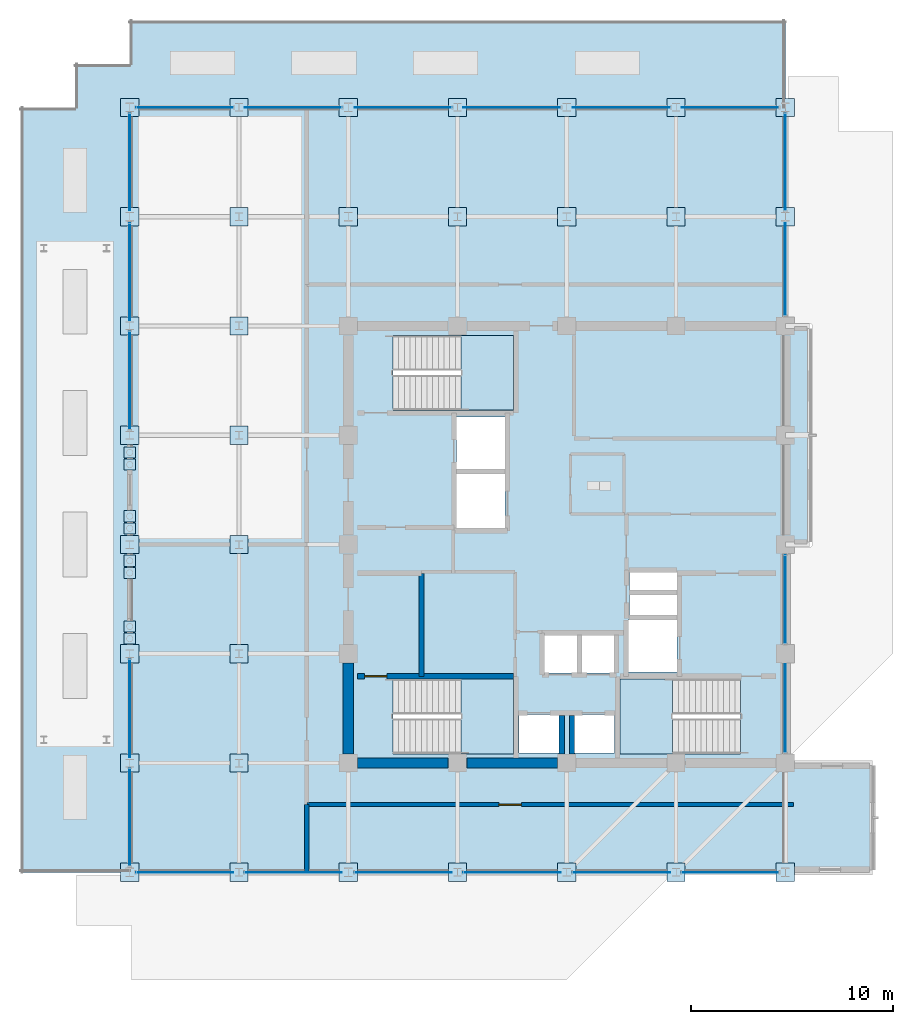
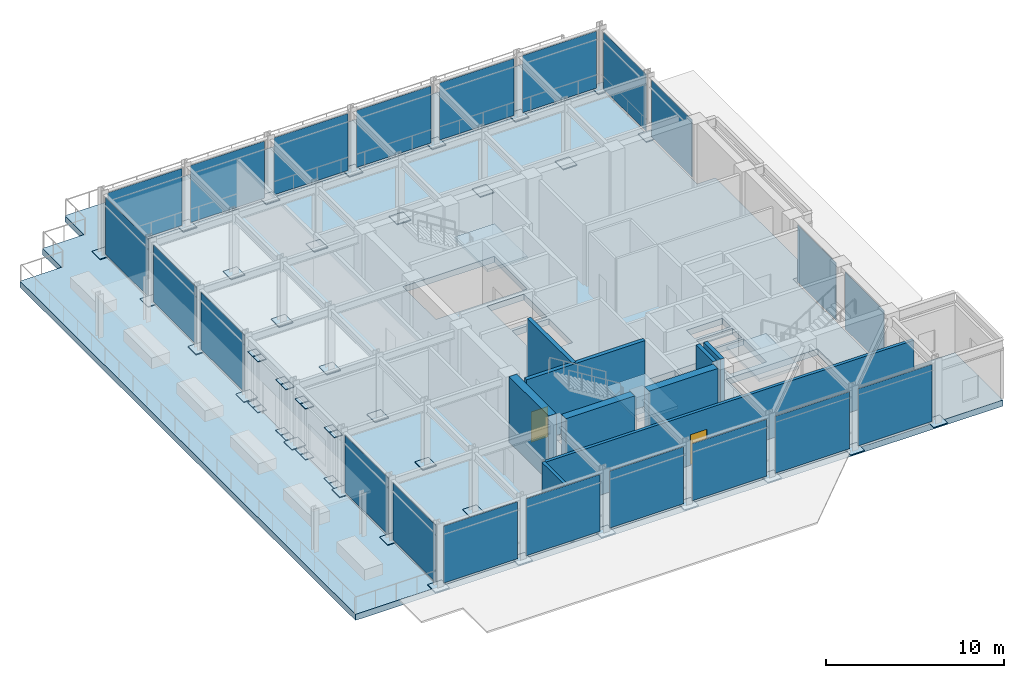
# One storey, part 13 of 22: 68 plates, 9 walls, 5 slabs, 2 doors, 2 openings, 9 elements without a shape of their own.
"""IFC4 building model written with IfcOpenShell, lengths in metres."""

from ifc_helpers import new_model, si_unit, direction, frame, frame_2d, origin, origin_2d, place, context, subcontext, project, spatial, polyline, rectangle, outline, extrude, material, layer, layer_set, type_object, element, fill, aggregate, save


model = new_model("IFC4")

# Units and contexts
model_context = context("Model", 3, precision=1e-05, world=origin(), true_north=direction((0.0, 1.0)))
body_context = subcontext(model_context, "Body", "Model", "MODEL_VIEW")
ifc_project = project(units=[si_unit("LENGTHUNIT", "METRE"), si_unit("AREAUNIT", "SQUARE_METRE"), si_unit("VOLUMEUNIT", "CUBIC_METRE"), si_unit("PLANEANGLEUNIT", "RADIAN"), si_unit("MASSUNIT", "GRAM", prefix="KILO")], contexts=[model_context])

# Site, building, storey
site_placement = place(None, origin())
site = spatial("IfcSite", under=ifc_project, at=site_placement, CompositionType="ELEMENT")
building_placement = place(site_placement, origin())
building = spatial("IfcBuilding", under=site, at=building_placement, Name="Surkhivell Harbour Commons", CompositionType="ELEMENT")
storey_placement = place(building_placement, frame((0.0, 0.0, 337.5)))
storey = spatial("IfcBuildingStorey", under=building, at=storey_placement, Name="L88", CompositionType="ELEMENT", Elevation=337.5)

# Curtain wall, plates
ifc_material_1 = material(Name="Anodised pale-metal aluminium and insulated glazing", Category="aluminium")
ifc_layer_1 = layer(ifc_material_1, 0.22998046875)
ifc_layer_set_1 = layer_set([ifc_layer_1], Name="Anodised pale-metal aluminium and insulated glazing")
curtain_wall_type = type_object("IfcCurtainWallType", Name="CW-SYS-CRN", PredefinedType="NOTDEFINED", material=ifc_layer_set_1)
curtain_wall_1_placement = place(storey_placement, origin())
curtain_wall_1 = element("IfcCurtainWall", 1, at=curtain_wall_1_placement, inside=storey, type_object=curtain_wall_type, Name="L88 Curtain Wall CW-L88-C00", PredefinedType="NOTDEFINED")
ifc_material_2 = material(Name="Botanical conservatory clear low-iron glass", Category="glass")
ifc_layer_2 = layer(ifc_material_2, 0.033935546875)
ifc_layer_set_2 = layer_set([ifc_layer_2], Name="Botanical conservatory clear low-iron glass")
plate_type_1 = type_object("IfcPlateType", Name="CWP-CRN-34", PredefinedType="CURTAIN_PANEL", material=ifc_layer_set_2)
plate_1_placement = place(storey_placement, frame((-21.282958984375, -16.199951171875, 0.14990234375), z_axis=(0.0, 0.0, 1.0), x_axis=(1.0, 0.0, 0.0)))
plate_1 = element("IfcPlate", 2, at=plate_1_placement, type_object=plate_type_1, Name="CW-CRN panel 1.1", PredefinedType="CURTAIN_PANEL", context=body_context, shape_type="SweptSolid", body=[
    extrude(rectangle(XDim=4.7958984375, YDim=0.033935546875, at=frame_2d((2.39794921875, 0.0))), origin(), (0.0, 0.0, 1.0), 3.920166015625),
])
plate_2_placement = place(storey_placement, frame((-15.9130859375, -16.199951171875, 0.14990234375), z_axis=(0.0, 0.0, 1.0), x_axis=(1.0, 0.0, 0.0)))
plate_2 = element("IfcPlate", 3, at=plate_2_placement, type_object=plate_type_1, Name="CW-CRN panel 2.1", PredefinedType="CURTAIN_PANEL", context=body_context, shape_type="SweptSolid", body=[
    extrude(rectangle(XDim=4.796142578125, YDim=0.033935546875, at=frame_2d((2.39794921875, 0.0))), origin(), (0.0, 0.0, 1.0), 3.920166015625),
])
plate_3_placement = place(storey_placement, frame((-10.48291015625, -16.199951171875, 0.14990234375), z_axis=(0.0, 0.0, 1.0), x_axis=(1.0, 0.0, 0.0)))
plate_3 = element("IfcPlate", 4, at=plate_3_placement, type_object=plate_type_1, Name="CW-CRN panel 3.1", PredefinedType="CURTAIN_PANEL", context=body_context, shape_type="SweptSolid", body=[
    extrude(rectangle(XDim=4.7958984375, YDim=0.033935546875, at=frame_2d((2.39794921875, 0.0))), origin(), (0.0, 0.0, 1.0), 3.920166015625),
])
plate_4_placement = place(storey_placement, frame((-5.113037109375, -16.199951171875, 0.14990234375), z_axis=(0.0, 0.0, 1.0), x_axis=(1.0, 0.0, 0.0)))
plate_4 = element("IfcPlate", 5, at=plate_4_placement, type_object=plate_type_1, Name="CW-CRN panel 4.1", PredefinedType="CURTAIN_PANEL", context=body_context, shape_type="SweptSolid", body=[
    extrude(rectangle(XDim=4.825927734375, YDim=0.033935546875, at=frame_2d((2.4130859375, 0.0))), origin(), (0.0, 0.0, 1.0), 3.920166015625),
])
plate_5_placement = place(storey_placement, frame((0.287109375, -16.199951171875, 0.14990234375), z_axis=(0.0, 0.0, 1.0), x_axis=(1.0, 0.0, 0.0)))
plate_5 = element("IfcPlate", 6, at=plate_5_placement, type_object=plate_type_1, Name="CW-CRN panel 5.1", PredefinedType="CURTAIN_PANEL", context=body_context, shape_type="SweptSolid", body=[
    extrude(rectangle(XDim=4.825927734375, YDim=0.033935546875, at=frame_2d((2.4130859375, 0.0))), origin(), (0.0, 0.0, 1.0), 3.920166015625),
])
plate_6_placement = place(storey_placement, frame((5.68701171875, -16.199951171875, 0.14990234375), z_axis=(0.0, 0.0, 1.0), x_axis=(1.0, 0.0, 0.0)))
plate_6 = element("IfcPlate", 7, at=plate_6_placement, type_object=plate_type_1, Name="CW-CRN panel 6.1", PredefinedType="CURTAIN_PANEL", context=body_context, shape_type="SweptSolid", body=[
    extrude(rectangle(XDim=4.7958984375, YDim=0.033935546875, at=frame_2d((2.39794921875, 0.0))), origin(), (0.0, 0.0, 1.0), 3.920166015625),
])
aggregate(curtain_wall_1, [plate_1, plate_2, plate_3, plate_4, plate_5, plate_6])

curtain_wall_2_placement = place(storey_placement, origin())
curtain_wall_2 = element("IfcCurtainWall", 8, at=curtain_wall_2_placement, inside=storey, type_object=curtain_wall_type, Name="L88 Curtain Wall CW-L88-C01S1", PredefinedType="NOTDEFINED")
plate_7_placement = place(storey_placement, frame((10.800048828125, -10.27294921875, 0.14990234375), z_axis=(0.0, 0.0, 1.0), x_axis=(0.0, 1.0, 0.0)))
plate_7 = element("IfcPlate", 9, at=plate_7_placement, type_object=plate_type_1, Name="CW-CRN panel 1.1", PredefinedType="CURTAIN_PANEL", context=body_context, shape_type="SweptSolid", body=[
    extrude(rectangle(XDim=4.345947265625, YDim=0.033935546875, at=frame_2d((2.1728515625, 0.0))), origin(), (0.0, 0.0, 1.0), 3.920166015625),
])
plate_8_placement = place(storey_placement, frame((10.800048828125, -4.873046875, 0.14990234375), z_axis=(0.0, 0.0, 1.0), x_axis=(0.0, 1.0, 0.0)))
plate_8 = element("IfcPlate", 10, at=plate_8_placement, type_object=plate_type_1, Name="CW-CRN panel 2.1", PredefinedType="CURTAIN_PANEL", context=body_context, shape_type="SweptSolid", body=[
    extrude(rectangle(XDim=4.345947265625, YDim=0.033935546875, at=frame_2d((2.1728515625, 0.0))), origin(), (0.0, 0.0, 1.0), 3.920166015625),
])
aggregate(curtain_wall_2, [plate_7, plate_8])

curtain_wall_3_placement = place(storey_placement, origin())
curtain_wall_3 = element("IfcCurtainWall", 11, at=curtain_wall_3_placement, inside=storey, type_object=curtain_wall_type, Name="L88 Curtain Wall CW-L88-C01S2", PredefinedType="NOTDEFINED")
plate_9_placement = place(storey_placement, frame((10.800048828125, 11.326904296875, 0.14990234375), z_axis=(0.0, 0.0, 1.0), x_axis=(0.0, 1.0, 0.0)))
plate_9 = element("IfcPlate", 12, at=plate_9_placement, type_object=plate_type_1, Name="CW-CRN panel 1.1", PredefinedType="CURTAIN_PANEL", context=body_context, shape_type="SweptSolid", body=[
    extrude(rectangle(XDim=4.55615234375, YDim=0.033935546875, at=frame_2d((2.278076171875, 0.0))), origin(), (0.0, 0.0, 1.0), 3.920166015625),
])
plate_10_placement = place(storey_placement, frame((10.800048828125, 16.51708984375, 0.14990234375), z_axis=(0.0, 0.0, 1.0), x_axis=(0.0, 1.0, 0.0)))
plate_10 = element("IfcPlate", 13, at=plate_10_placement, type_object=plate_type_1, Name="CW-CRN panel 2.1", PredefinedType="CURTAIN_PANEL", context=body_context, shape_type="SweptSolid", body=[
    extrude(rectangle(XDim=4.765869140625, YDim=0.033935546875, at=frame_2d((2.3828125, 0.0))), origin(), (0.0, 0.0, 1.0), 3.920166015625),
])
aggregate(curtain_wall_3, [plate_9, plate_10])

curtain_wall_4_placement = place(storey_placement, origin())
curtain_wall_4 = element("IfcCurtainWall", 14, at=curtain_wall_4_placement, inside=storey, type_object=curtain_wall_type, Name="L88 Curtain Wall CW-L88-C02", PredefinedType="NOTDEFINED")
plate_11_placement = place(storey_placement, frame((10.48291015625, 21.60009765625, 0.14990234375), z_axis=(0.0, 0.0, 1.0), x_axis=(-1.0, 0.0, 0.0)))
plate_11 = element("IfcPlate", 15, at=plate_11_placement, type_object=plate_type_1, Name="CW-CRN panel 1.1", PredefinedType="CURTAIN_PANEL", context=body_context, shape_type="SweptSolid", body=[
    extrude(rectangle(XDim=4.7958984375, YDim=0.033935546875, at=frame_2d((2.39794921875, 0.0))), origin(), (0.0, 0.0, 1.0), 3.920166015625),
])
plate_12_placement = place(storey_placement, frame((5.113037109375, 21.60009765625, 0.14990234375), z_axis=(0.0, 0.0, 1.0), x_axis=(-1.0, 0.0, 0.0)))
plate_12 = element("IfcPlate", 16, at=plate_12_placement, type_object=plate_type_1, Name="CW-CRN panel 2.1", PredefinedType="CURTAIN_PANEL", context=body_context, shape_type="SweptSolid", body=[
    extrude(rectangle(XDim=4.825927734375, YDim=0.033935546875, at=frame_2d((2.4130859375, 0.0))), origin(), (0.0, 0.0, 1.0), 3.920166015625),
])
plate_13_placement = place(storey_placement, frame((-0.287109375, 21.60009765625, 0.14990234375), z_axis=(0.0, 0.0, 1.0), x_axis=(-1.0, 0.0, 0.0)))
plate_13 = element("IfcPlate", 17, at=plate_13_placement, type_object=plate_type_1, Name="CW-CRN panel 3.1", PredefinedType="CURTAIN_PANEL", context=body_context, shape_type="SweptSolid", body=[
    extrude(rectangle(XDim=4.825927734375, YDim=0.033935546875, at=frame_2d((2.4130859375, 0.0))), origin(), (0.0, 0.0, 1.0), 3.920166015625),
])
plate_14_placement = place(storey_placement, frame((-5.68701171875, 21.60009765625, 0.14990234375), z_axis=(0.0, 0.0, 1.0), x_axis=(-1.0, 0.0, 0.0)))
plate_14 = element("IfcPlate", 18, at=plate_14_placement, type_object=plate_type_1, Name="CW-CRN panel 4.1", PredefinedType="CURTAIN_PANEL", context=body_context, shape_type="SweptSolid", body=[
    extrude(rectangle(XDim=4.7958984375, YDim=0.033935546875, at=frame_2d((2.39794921875, 0.0))), origin(), (0.0, 0.0, 1.0), 3.920166015625),
])
plate_15_placement = place(storey_placement, frame((-11.116943359375, 21.60009765625, 0.14990234375), z_axis=(0.0, 0.0, 1.0), x_axis=(-1.0, 0.0, 0.0)))
plate_15 = element("IfcPlate", 19, at=plate_15_placement, type_object=plate_type_1, Name="CW-CRN panel 5.1", PredefinedType="CURTAIN_PANEL", context=body_context, shape_type="SweptSolid", body=[
    extrude(rectangle(XDim=4.796142578125, YDim=0.033935546875, at=frame_2d((2.39794921875, 0.0))), origin(), (0.0, 0.0, 1.0), 3.920166015625),
])
plate_16_placement = place(storey_placement, frame((-16.487060546875, 21.60009765625, 0.14990234375), z_axis=(0.0, 0.0, 1.0), x_axis=(-1.0, 0.0, 0.0)))
plate_16 = element("IfcPlate", 20, at=plate_16_placement, type_object=plate_type_1, Name="CW-CRN panel 6.1", PredefinedType="CURTAIN_PANEL", context=body_context, shape_type="SweptSolid", body=[
    extrude(rectangle(XDim=4.7958984375, YDim=0.033935546875, at=frame_2d((2.39794921875, 0.0))), origin(), (0.0, 0.0, 1.0), 3.920166015625),
])
aggregate(curtain_wall_4, [plate_11, plate_12, plate_13, plate_14, plate_15, plate_16])

curtain_wall_5_placement = place(storey_placement, origin())
curtain_wall_5 = element("IfcCurtainWall", 21, at=curtain_wall_5_placement, inside=storey, type_object=curtain_wall_type, Name="L88 Curtain Wall CW-L88-C03S1", PredefinedType="NOTDEFINED")
plate_17_placement = place(storey_placement, frame((-21.60009765625, -5.68701171875, 0.14990234375), z_axis=(0.0, 0.0, 1.0), x_axis=(0.0, -1.0, 0.0)))
plate_17 = element("IfcPlate", 22, at=plate_17_placement, type_object=plate_type_1, Name="CW-CRN panel 1.1", PredefinedType="CURTAIN_PANEL", context=body_context, shape_type="SweptSolid", body=[
    extrude(rectangle(XDim=4.825927734375, YDim=0.033935546875, at=frame_2d((2.4130859375, 0.0))), origin(), (0.0, 0.0, 1.0), 3.920166015625),
])
plate_18_placement = place(storey_placement, frame((-21.60009765625, -11.0869140625, 0.14990234375), z_axis=(0.0, 0.0, 1.0), x_axis=(0.0, -1.0, 0.0)))
plate_18 = element("IfcPlate", 23, at=plate_18_placement, type_object=plate_type_1, Name="CW-CRN panel 2.1", PredefinedType="CURTAIN_PANEL", context=body_context, shape_type="SweptSolid", body=[
    extrude(rectangle(XDim=4.796142578125, YDim=0.033935546875, at=frame_2d((2.39794921875, 0.0))), origin(), (0.0, 0.0, 1.0), 3.920166015625),
])
aggregate(curtain_wall_5, [plate_17, plate_18])

curtain_wall_6_placement = place(storey_placement, origin())
curtain_wall_6 = element("IfcCurtainWall", 24, at=curtain_wall_6_placement, inside=storey, type_object=curtain_wall_type, Name="L88 Curtain Wall CW-L88-C03S2", PredefinedType="NOTDEFINED")
plate_19_placement = place(storey_placement, frame((-21.60009765625, 21.282958984375, 0.14990234375), z_axis=(0.0, 0.0, 1.0), x_axis=(0.0, -1.0, 0.0)))
plate_19 = element("IfcPlate", 25, at=plate_19_placement, type_object=plate_type_1, Name="CW-CRN panel 1.1", PredefinedType="CURTAIN_PANEL", context=body_context, shape_type="SweptSolid", body=[
    extrude(rectangle(XDim=4.765869140625, YDim=0.033935546875, at=frame_2d((2.3828125, 0.0))), origin(), (0.0, 0.0, 1.0), 3.920166015625),
])
plate_20_placement = place(storey_placement, frame((-21.60009765625, 15.883056640625, 0.14990234375), z_axis=(0.0, 0.0, 1.0), x_axis=(0.0, -1.0, 0.0)))
plate_20 = element("IfcPlate", 26, at=plate_20_placement, type_object=plate_type_1, Name="CW-CRN panel 2.1", PredefinedType="CURTAIN_PANEL", context=body_context, shape_type="SweptSolid", body=[
    extrude(rectangle(XDim=4.796142578125, YDim=0.033935546875, at=frame_2d((2.39794921875, 0.0))), origin(), (0.0, 0.0, 1.0), 3.920166015625),
])
plate_21_placement = place(storey_placement, frame((-21.60009765625, 10.512939453125, 0.14990234375), z_axis=(0.0, 0.0, 1.0), x_axis=(0.0, -1.0, 0.0)))
plate_21 = element("IfcPlate", 27, at=plate_21_placement, type_object=plate_type_1, Name="CW-CRN panel 3.1", PredefinedType="CURTAIN_PANEL", context=body_context, shape_type="SweptSolid", body=[
    extrude(rectangle(XDim=4.825927734375, YDim=0.033935546875, at=frame_2d((2.4130859375, 0.0))), origin(), (0.0, 0.0, 1.0), 3.920166015625),
])
aggregate(curtain_wall_6, [plate_19, plate_20, plate_21])

# Plates
ifc_material_3 = material(Name="Steel S460", Category="steel")
ifc_layer_3 = layer(ifc_material_3, 0.050048828125)
ifc_layer_set_3 = layer_set([ifc_layer_3], Name="Steel S460")
plate_type_2 = type_object("IfcPlateType", Name="PLT-BASE-900", PredefinedType="USERDEFINED", material=ifc_layer_set_3)
for number, where, z_axis, x_axis, name in (
    (28, (-21.60009765625, -16.199951171875, 0.0), (0.0, 0.0, 1.0), (1.0, 0.0, 0.0), "L88 Crown Frame Leg Base Plate BP-01"),
    (29, (-21.60009765625, -10.800048828125, 0.0), (0.0, 0.0, 1.0), (1.0, 0.0, 0.0), "L88 Crown Frame Leg Base Plate BP-02"),
    (30, (-21.60009765625, -5.39990234375, 0.0), (0.0, 0.0, 1.0), (1.0, 0.0, 0.0), "L88 Crown Frame Leg Base Plate BP-03"),
    (31, (-21.60009765625, 0.0, 0.0), (0.0, 0.0, 1.0), (1.0, 0.0, 0.0), "L88 Crown Frame Leg Base Plate BP-04"),
    (32, (-21.60009765625, 5.39990234375, 0.0), (0.0, 0.0, 1.0), (1.0, 0.0, 0.0), "L88 Crown Frame Leg Base Plate BP-05"),
    (33, (-21.60009765625, 10.800048828125, 0.0), (0.0, 0.0, 1.0), (1.0, 0.0, 0.0), "L88 Crown Frame Leg Base Plate BP-06"),
    (34, (-21.60009765625, 16.199951171875, 0.0), (0.0, 0.0, 1.0), (1.0, 0.0, 0.0), "L88 Crown Frame Leg Base Plate BP-07"),
    (35, (-21.60009765625, 21.60009765625, 0.0), (0.0, 0.0, 1.0), (1.0, 0.0, 0.0), "L88 Crown Frame Leg Base Plate BP-08"),
    (36, (-16.199951171875, -16.199951171875, 0.0), (0.0, 0.0, 1.0), (1.0, 0.0, 0.0), "L88 Crown Frame Leg Base Plate BP-09"),
    (37, (-16.199951171875, -10.800048828125, 0.0), (0.0, 0.0, 1.0), (1.0, 0.0, 0.0), "L88 Crown Frame Leg Base Plate BP-10"),
    (38, (-16.199951171875, -5.39990234375, 0.0), (0.0, 0.0, 1.0), (1.0, 0.0, 0.0), "L88 Crown Frame Leg Base Plate BP-11"),
    (39, (-16.199951171875, 0.0, 0.0), (0.0, 0.0, 1.0), (1.0, 0.0, 0.0), "L88 Crown Frame Leg Base Plate BP-12"),
    (40, (-16.199951171875, 5.39990234375, 0.0), (0.0, 0.0, 1.0), (1.0, 0.0, 0.0), "L88 Crown Frame Leg Base Plate BP-13"),
    (41, (-16.199951171875, 10.800048828125, 0.0), (0.0, 0.0, 1.0), (1.0, 0.0, 0.0), "L88 Crown Frame Leg Base Plate BP-14"),
    (42, (-16.199951171875, 16.199951171875, 0.0), (0.0, 0.0, 1.0), (1.0, 0.0, 0.0), "L88 Crown Frame Leg Base Plate BP-15"),
    (43, (-16.199951171875, 21.60009765625, 0.0), (0.0, 0.0, 1.0), (1.0, 0.0, 0.0), "L88 Crown Frame Leg Base Plate BP-16"),
    (44, (-10.800048828125, -16.199951171875, 0.0), (0.0, 0.0, 1.0), (1.0, 0.0, 0.0), "L88 Crown Frame Leg Base Plate BP-17"),
    (45, (-10.800048828125, 16.199951171875, 0.0), (0.0, 0.0, 1.0), (1.0, 0.0, 0.0), "L88 Crown Frame Leg Base Plate BP-18"),
    (46, (-10.800048828125, 21.60009765625, 0.0), (0.0, 0.0, 1.0), (1.0, 0.0, 0.0), "L88 Crown Frame Leg Base Plate BP-19"),
    (47, (-5.39990234375, -16.199951171875, 0.0), (0.0, 0.0, 1.0), (1.0, 0.0, 0.0), "L88 Crown Frame Leg Base Plate BP-20"),
    (48, (-5.39990234375, 16.199951171875, 0.0), (0.0, 0.0, 1.0), (1.0, 0.0, 0.0), "L88 Crown Frame Leg Base Plate BP-21"),
    (49, (-5.39990234375, 21.60009765625, 0.0), (0.0, 0.0, 1.0), (1.0, 0.0, 0.0), "L88 Crown Frame Leg Base Plate BP-22"),
    (50, (0.0, -16.199951171875, 0.0), (0.0, 0.0, 1.0), (1.0, 0.0, 0.0), "L88 Crown Frame Leg Base Plate BP-23"),
    (51, (0.0, 16.199951171875, 0.0), (0.0, 0.0, 1.0), (1.0, 0.0, 0.0), "L88 Crown Frame Leg Base Plate BP-24"),
    (52, (0.0, 21.60009765625, 0.0), (0.0, 0.0, 1.0), (1.0, 0.0, 0.0), "L88 Crown Frame Leg Base Plate BP-25"),
    (53, (5.39990234375, -16.199951171875, 0.0), (0.0, 0.0, 1.0), (1.0, 0.0, 0.0), "L88 Crown Frame Leg Base Plate BP-26"),
    (54, (5.39990234375, 16.199951171875, 0.0), (0.0, 0.0, 1.0), (1.0, 0.0, 0.0), "L88 Crown Frame Leg Base Plate BP-27"),
    (55, (5.39990234375, 21.60009765625, 0.0), (0.0, 0.0, 1.0), (1.0, 0.0, 0.0), "L88 Crown Frame Leg Base Plate BP-28"),
    (56, (10.800048828125, -16.199951171875, 0.0), (0.0, 0.0, 1.0), (1.0, 0.0, 0.0), "L88 Crown Frame Leg Base Plate BP-29"),
    (57, (10.800048828125, 16.199951171875, 0.0), (0.0, 0.0, 1.0), (1.0, 0.0, 0.0), "L88 Crown Frame Leg Base Plate BP-30"),
    (58, (10.800048828125, 21.60009765625, 0.0), (0.0, 0.0, 1.0), (1.0, 0.0, 0.0), "L88 Crown Frame Leg Base Plate BP-31"),
):
    element("IfcPlate", number, at=place(storey_placement, frame(where, z_axis=z_axis, x_axis=x_axis)), inside=storey, type_object=plate_type_2, Name=name, ObjectType="BASE_PLATE", PredefinedType="USERDEFINED", context=body_context, shape_type="SweptSolid", body=[
        extrude(rectangle(XDim=0.89990234375, YDim=0.89990234375, at=origin_2d()), origin(), (0.0, 0.0, 1.0), 0.050048828125),
    ])
ifc_layer_4 = layer(ifc_material_3, 0.035888671875)
ifc_layer_set_4 = layer_set([ifc_layer_4], Name="Steel S460")
plate_type_3 = type_object("IfcPlateType", Name="PLT-GUS-550", PredefinedType="USERDEFINED", material=ifc_layer_set_4)
for number, where, z_axis, x_axis, name in (
    (59, (-21.60009765625, -4.64990234375, 0.0), (0.0, 0.0, 1.0), (1.0, 0.0, 0.0), "L88 Canopy Strut Base Gusset Plate SBP-01"),
    (60, (-21.60009765625, -4.64990234375, 3.4951171875), (0.0, 0.0, 1.0), (1.0, 0.0, 0.0), "L88 Canopy Strut Cap Gusset Plate STP-01"),
    (61, (-21.60009765625, -4.050048828125, 0.0), (0.0, 0.0, 1.0), (1.0, 0.0, 0.0), "L88 Canopy Strut Base Gusset Plate SBP-02"),
    (62, (-21.60009765625, -4.050048828125, 3.4951171875), (0.0, 0.0, 1.0), (1.0, 0.0, 0.0), "L88 Canopy Strut Cap Gusset Plate STP-02"),
    (63, (-21.60009765625, -1.39990234375, 0.0), (0.0, 0.0, 1.0), (1.0, 0.0, 0.0), "L88 Canopy Strut Base Gusset Plate SBP-03"),
    (64, (-21.60009765625, -1.39990234375, 3.4951171875), (0.0, 0.0, 1.0), (1.0, 0.0, 0.0), "L88 Canopy Strut Cap Gusset Plate STP-03"),
    (65, (-21.60009765625, -0.800048828125, 0.0), (0.0, 0.0, 1.0), (1.0, 0.0, 0.0), "L88 Canopy Strut Base Gusset Plate SBP-04"),
    (66, (-21.60009765625, -0.800048828125, 3.4951171875), (0.0, 0.0, 1.0), (1.0, 0.0, 0.0), "L88 Canopy Strut Cap Gusset Plate STP-04"),
    (67, (-21.60009765625, 0.800048828125, 0.0), (0.0, 0.0, 1.0), (1.0, 0.0, 0.0), "L88 Canopy Strut Base Gusset Plate SBP-05"),
    (68, (-21.60009765625, 0.800048828125, 3.4951171875), (0.0, 0.0, 1.0), (1.0, 0.0, 0.0), "L88 Canopy Strut Cap Gusset Plate STP-05"),
    (69, (-21.60009765625, 1.39990234375, 0.0), (0.0, 0.0, 1.0), (1.0, 0.0, 0.0), "L88 Canopy Strut Base Gusset Plate SBP-06"),
    (70, (-21.60009765625, 1.39990234375, 3.4951171875), (0.0, 0.0, 1.0), (1.0, 0.0, 0.0), "L88 Canopy Strut Cap Gusset Plate STP-06"),
    (71, (-21.60009765625, 3.949951171875, 0.0), (0.0, 0.0, 1.0), (1.0, 0.0, 0.0), "L88 Canopy Strut Base Gusset Plate SBP-07"),
    (72, (-21.60009765625, 3.949951171875, 3.4951171875), (0.0, 0.0, 1.0), (1.0, 0.0, 0.0), "L88 Canopy Strut Cap Gusset Plate STP-07"),
    (73, (-21.60009765625, 4.550048828125, 0.0), (0.0, 0.0, 1.0), (1.0, 0.0, 0.0), "L88 Canopy Strut Base Gusset Plate SBP-08"),
    (74, (-21.60009765625, 4.550048828125, 3.4951171875), (0.0, 0.0, 1.0), (1.0, 0.0, 0.0), "L88 Canopy Strut Cap Gusset Plate STP-08"),
):
    element("IfcPlate", number, at=place(storey_placement, frame(where, z_axis=z_axis, x_axis=x_axis)), inside=storey, type_object=plate_type_3, Name=name, ObjectType="GUSSET_PLATE", PredefinedType="USERDEFINED", context=body_context, shape_type="SweptSolid", body=[
        extrude(rectangle(XDim=0.550048828125, YDim=0.550048828125, at=origin_2d()), origin(), (0.0, 0.0, 1.0), 0.035888671875),
    ])

# Slab
ifc_material_4 = material(Name="Concrete C50/60", Category="concrete")
ifc_layer_5 = layer(ifc_material_4, 0.280029296875)
ifc_layer_set_5 = layer_set([ifc_layer_5], Name="Concrete C50/60")
slab_type_1 = type_object("IfcSlabType", Name="SLB-CRN-280", PredefinedType="FLOOR", material=ifc_layer_set_5)
slab_1_placement = place(storey_placement, frame((0.0, 0.0, -0.419921875)))
element("IfcSlab", 75, at=slab_1_placement, inside=storey, type_object=slab_type_1, Name="L88 Structural Floor Slab", PredefinedType="FLOOR", context=body_context, shape_type="SweptSolid", body=[
    extrude(outline(polyline([(-21.60009765625, -16.199951171875), (10.800048828125, -16.199951171875), (15.10009765625, -16.199951171875), (15.10009765625, -10.800048828125), (10.800048828125, -10.800048828125), (10.800048828125, 0.0), (12.0, 0.0), (12.0, 10.800048828125), (10.800048828125, 10.800048828125), (10.800048828125, 21.60009765625), (-21.60009765625, 21.60009765625), (-21.60009765625, -16.199951171875)]), holes=[polyline([(-8.590087890625, 6.639892578125), (-2.639892578125, 6.639892578125), (-2.639892578125, 10.340087890625), (-8.590087890625, 10.340087890625), (-8.590087890625, 6.639892578125)]), polyline([(8.590087890625, -6.639892578125), (2.639892578125, -6.639892578125), (2.639892578125, -10.340087890625), (8.590087890625, -10.340087890625), (8.590087890625, -6.639892578125)]), polyline([(-8.590087890625, -10.340087890625), (-2.639892578125, -10.340087890625), (-2.639892578125, -6.639892578125), (-8.590087890625, -6.639892578125), (-8.590087890625, -10.340087890625)]), polyline([(-1.14990234375, -6.35009765625), (0.550048828125, -6.35009765625), (0.550048828125, -4.449951171875), (-1.14990234375, -4.449951171875), (-1.14990234375, -6.35009765625)]), polyline([(0.679931640625, -6.35009765625), (2.3798828125, -6.35009765625), (2.3798828125, -4.449951171875), (0.679931640625, -4.449951171875), (0.679931640625, -6.35009765625)]), polyline([(-2.35009765625, -10.300048828125), (-0.35009765625, -10.300048828125), (-0.35009765625, -8.39990234375), (-2.35009765625, -8.39990234375), (-2.35009765625, -10.300048828125)]), polyline([(0.35009765625, -10.300048828125), (2.35009765625, -10.300048828125), (2.35009765625, -8.39990234375), (0.35009765625, -8.39990234375), (0.35009765625, -10.300048828125)]), polyline([(-5.449951171875, 3.699951171875), (-3.050048828125, 3.699951171875), (-3.050048828125, 6.300048828125), (-5.449951171875, 6.300048828125), (-5.449951171875, 3.699951171875)]), polyline([(3.050048828125, -6.300048828125), (5.449951171875, -6.300048828125), (5.449951171875, -3.699951171875), (3.050048828125, -3.699951171875), (3.050048828125, -6.300048828125)]), polyline([(-5.449951171875, 0.800048828125), (-3.050048828125, 0.800048828125), (-3.050048828125, 3.5), (-5.449951171875, 3.5), (-5.449951171875, 0.800048828125)]), polyline([(3.10009765625, -3.550048828125), (5.449951171875, -3.550048828125), (5.449951171875, -2.47998046875), (3.10009765625, -2.47998046875), (3.10009765625, -3.550048828125)]), polyline([(3.10009765625, -2.280029296875), (5.449951171875, -2.280029296875), (5.449951171875, -1.35009765625), (3.10009765625, -1.35009765625), (3.10009765625, -2.280029296875)])]), origin(), (0.0, 0.0, 1.0), 0.419921875),
])

# Stair, slab
ifc_material_5 = material(Name="Precast concrete C45/55", Category="concrete")
stair_type = type_object("IfcStairType", Name="STR-DL-450", PredefinedType="HALF_TURN_STAIR", material=ifc_material_5)
stair_1_placement = place(storey_placement, origin())
stair_1 = element("IfcStair", 76, at=stair_1_placement, inside=storey, type_object=stair_type, Name="L88 Core Exit Stair ST1", PredefinedType="HALF_TURN_STAIR")
ifc_material_6 = material(Name="Reinforced concrete C45/55", Category="concrete")
ifc_layer_6 = layer(ifc_material_6, 0.199951171875)
ifc_layer_set_6 = layer_set([ifc_layer_6], Name="Reinforced concrete C45/55")
slab_type_2 = type_object("IfcSlabType", Name="SLB-ST-LND200", PredefinedType="LANDING", material=ifc_layer_set_6)
slab_2_placement = place(storey_placement, frame((0.0, 0.0, 2.050048828125)))
slab_2 = element("IfcSlab", 77, at=slab_2_placement, type_object=slab_type_2, Name="ST1 landing 1", PredefinedType="LANDING", context=body_context, shape_type="SweptSolid", body=[
    extrude(outline(polyline([(-5.22998046875, 6.639892578125), (-2.639892578125, 6.639892578125), (-2.639892578125, 10.340087890625), (-5.22998046875, 10.340087890625), (-5.22998046875, 6.639892578125)])), origin(), (0.0, 0.0, 1.0), 0.199951171875),
])
aggregate(stair_1, [slab_2])

stair_2_placement = place(storey_placement, origin())
stair_2 = element("IfcStair", 78, at=stair_2_placement, inside=storey, type_object=stair_type, Name="L88 Core Exit Stair ST2", PredefinedType="HALF_TURN_STAIR")
slab_3_placement = place(storey_placement, frame((0.0, 0.0, 2.050048828125)))
slab_3 = element("IfcSlab", 79, at=slab_3_placement, type_object=slab_type_2, Name="ST2 landing 1", PredefinedType="LANDING", context=body_context, shape_type="SweptSolid", body=[
    extrude(outline(polyline([(5.22998046875, -6.639892578125), (2.639892578125, -6.639892578125), (2.639892578125, -10.340087890625), (5.22998046875, -10.340087890625), (5.22998046875, -6.639892578125)])), origin(), (0.0, 0.0, 1.0), 0.199951171875),
])
aggregate(stair_2, [slab_3])

stair_3_placement = place(storey_placement, origin())
stair_3 = element("IfcStair", 80, at=stair_3_placement, inside=storey, type_object=stair_type, Name="L88 Core Exit Stair ST3", PredefinedType="HALF_TURN_STAIR")
slab_4_placement = place(storey_placement, frame((0.0, 0.0, 2.050048828125)))
slab_4 = element("IfcSlab", 81, at=slab_4_placement, type_object=slab_type_2, Name="ST3 landing 1", PredefinedType="LANDING", context=body_context, shape_type="SweptSolid", body=[
    extrude(outline(polyline([(-5.22998046875, -10.340087890625), (-2.639892578125, -10.340087890625), (-2.639892578125, -6.639892578125), (-5.22998046875, -6.639892578125), (-5.22998046875, -10.340087890625)])), origin(), (0.0, 0.0, 1.0), 0.199951171875),
])
aggregate(stair_3, [slab_4])

# Slab
ifc_layer_7 = layer(ifc_material_4, 0.419921875)
ifc_layer_set_7 = layer_set([ifc_layer_7], Name="Concrete C50/60")
slab_type_3 = type_object("IfcSlabType", Name="SLB-TERR-420", PredefinedType="FLOOR", material=ifc_layer_set_7)
slab_5_placement = place(storey_placement, frame((0.0, 0.0, -0.419921875)))
element("IfcSlab", 82, at=slab_5_placement, inside=storey, type_object=slab_type_3, Name="L88 Crown Sky-Garden Roof Terrace", PredefinedType="FLOOR", context=body_context, shape_type="SweptSolid", body=[
    extrude(outline(polyline([(-27.0, -16.199951171875), (-21.60009765625, -16.199951171875), (-21.60009765625, 21.60009765625), (10.800048828125, 21.60009765625), (10.800048828125, 25.89990234375), (-21.60009765625, 25.89990234375), (-21.60009765625, 23.75), (-24.300048828125, 23.75), (-24.300048828125, 21.60009765625), (-27.0, 21.60009765625), (-27.0, -16.199951171875)])), origin(), (0.0, 0.0, 1.0), 0.419921875),
])

# Walls
ifc_layer_8 = layer(ifc_material_4, 0.5)
ifc_layer_set_8 = layer_set([ifc_layer_8], Name="Concrete C50/60")
wall_type_1 = type_object("IfcWallType", Name="WAL-CORE-500", PredefinedType="SHEAR", material=ifc_layer_set_8)
for number, where, z_axis, x_axis, name in (
    (83, (-10.340087890625, -10.800048828125, 0.0), (0.0, 0.0, 1.0), (1.0, 0.0, 0.0), "L88 Core Shear Wall South 1"),
    (84, (-10.800048828125, -10.340087890625, 0.0), (0.0, 0.0, 1.0), (0.0, 1.0, 0.0), "L88 Core Shear Wall West 1"),
    (85, (-4.93994140625, -10.800048828125, 0.0), (0.0, 0.0, 1.0), (1.0, 0.0, 0.0), "L88 Core Shear Wall South 2"),
):
    element("IfcWall", number, at=place(storey_placement, frame(where, z_axis=z_axis, x_axis=x_axis)), inside=storey, type_object=wall_type_1, Name=name, PredefinedType="SHEAR", context=body_context, shape_type="SweptSolid", body=[
        extrude(rectangle(XDim=4.47998046875, YDim=0.5, at=frame_2d((2.239990234375, 0.0))), origin(), (0.0, 0.0, 1.0), 4.5),
    ])
ifc_material_7 = material(Name="Autoclaved aerated concrete blockwork and fire plaster", Category="masonry")
ifc_layer_9 = layer(ifc_material_7, 0.199951171875)
ifc_layer_set_9 = layer_set([ifc_layer_9], Name="Autoclaved aerated concrete blockwork and fire plaster")
wall_type_2 = type_object("IfcWallType", Name="WAL-INT-200", PredefinedType="PARTITIONING", material=ifc_layer_set_9)
wall_1_placement = place(storey_placement, frame((-12.85009765625, -16.159912109375, 0.0), z_axis=(0.0, 0.0, 1.0), x_axis=(0.0, 1.0, 0.0)))
element("IfcWall", 86, at=wall_1_placement, inside=storey, type_object=wall_type_2, Name="L88 Crown SW Corner Wall", PredefinedType="PARTITIONING", context=body_context, shape_type="SweptSolid", body=[
    extrude(rectangle(XDim=3.309814453125, YDim=0.199951171875, at=frame_2d((1.65478515625, 0.0))), origin(), (0.0, 0.0, 1.0), 3.507080078125),
])

# Wall, opening, door
wall_2_placement = place(storey_placement, frame((-12.85009765625, -12.85009765625, 0.0), z_axis=(0.0, 0.0, 1.0), x_axis=(1.0, 0.0, 0.0)))
wall_2 = element("IfcWall", 87, at=wall_2_placement, inside=storey, type_object=wall_type_2, Name="L88 Crown Corridor South Wall", PredefinedType="PARTITIONING", context=body_context, shape_type="SweptSolid", body=[
    extrude(rectangle(XDim=24.050048828125, YDim=0.199951171875, at=frame_2d((12.02490234375, 0.0))), origin(), (0.0, 0.0, 1.0), 3.507080078125),
])
opening_1_placement = place(wall_2_placement, frame((9.5, 0.0, 0.0)))
opening_1 = element("IfcOpeningElement", 88, at=opening_1_placement, cuts=wall_2, Name="Opening ID-2", PredefinedType="OPENING", context=body_context, shape_type="SweptSolid", body=[
    extrude(rectangle(XDim=1.10009765625, YDim=2.10009765625, at=frame_2d((0.550048828125, 1.050048828125))), frame((0.0, 0.10986328125, 0.0), z_axis=(0.0, -1.0, 0.0), x_axis=(1.0, 0.0, 0.0)), (0.0, 0.0, 1.0), 0.219970703125),
])
ifc_material_8 = material(Name="Hardwood-veneered fire-rated door leaf", Category="wood")
door_type = type_object("IfcDoorType", Name="DOR-FD60-1100", OperationType="NOTDEFINED", PredefinedType="DOOR", material=ifc_material_8)
door_1_placement = place(opening_1_placement, origin())
door_1 = element("IfcDoor", 89, at=door_1_placement, inside=storey, type_object=door_type, Name="L88 Crown Sky-Garden Switchgear Plant Room Door", OperationType="SINGLE_SWING_LEFT", OverallHeight=2.10009765625, OverallWidth=1.10009765625, PredefinedType="DOOR", context=body_context, shape_type="SweptSolid", body=[
    extrude(rectangle(XDim=1.10009765625, YDim=2.10009765625, at=frame_2d((0.550048828125, 1.050048828125))), frame((0.0, 0.02490234375, 0.0), z_axis=(0.0, -1.0, 0.0), x_axis=(1.0, 0.0, 0.0)), (0.0, 0.0, 1.0), 0.050048828125),
])
fill(opening_1, door_1)

# Walls
ifc_layer_10 = layer(ifc_material_4, 0.25)
ifc_layer_set_10 = layer_set([ifc_layer_10], Name="Concrete C50/60")
wall_type_3 = type_object("IfcWallType", Name="WAL-SHAFT-250", PredefinedType="SHEAR", material=ifc_layer_set_10)
for number, where, z_axis, x_axis, name in (
    (90, (-0.25, -10.35009765625, 0.0), (0.0, 0.0, 1.0), (0.0, 1.0, 0.0), "L88 High-Rise Side Wall S"),
    (91, (0.25, -10.35009765625, 0.0), (0.0, 0.0, 1.0), (0.0, 1.0, 0.0), "L88 High-Rise Side Wall S"),
):
    element("IfcWall", number, at=place(storey_placement, frame(where, z_axis=z_axis, x_axis=x_axis)), inside=storey, type_object=wall_type_3, Name=name, PredefinedType="SHEAR", context=body_context, shape_type="SweptSolid", body=[
        extrude(rectangle(XDim=1.91015625, YDim=0.25, at=frame_2d((0.955078125, 0.0))), origin(), (0.0, 0.0, 1.0), 4.5),
    ])
wall_3_placement = place(storey_placement, frame((-7.179931640625, -6.510009765625, 0.0), z_axis=(0.0, 0.0, 1.0), x_axis=(0.0, 1.0, 0.0)))
element("IfcWall", 92, at=wall_3_placement, inside=storey, type_object=wall_type_3, Name="L88 Stair 3 Lobby East Wall", PredefinedType="SHEAR", context=body_context, shape_type="SweptSolid", body=[
    extrude(rectangle(XDim=5.090087890625, YDim=0.25, at=frame_2d((2.544921875, 0.0))), origin(), (0.0, 0.0, 1.0), 4.5),
])

# Wall, opening, door
wall_4_placement = place(storey_placement, frame((-10.340087890625, -6.510009765625, 0.0), z_axis=(0.0, 0.0, 1.0), x_axis=(1.0, 0.0, 0.0)))
wall_4 = element("IfcWall", 93, at=wall_4_placement, inside=storey, type_object=wall_type_3, Name="L88 Stair ST3 North Shear Wall", PredefinedType="SHEAR", context=body_context, shape_type="SweptSolid", body=[
    extrude(rectangle(XDim=7.7001953125, YDim=0.25, at=frame_2d((3.85009765625, 0.0))), origin(), (0.0, 0.0, 1.0), 4.5),
])
opening_2_placement = place(wall_4_placement, frame((0.35009765625, 0.0, 0.0)))
opening_2 = element("IfcOpeningElement", 94, at=opening_2_placement, cuts=wall_4, Name="Opening ID-2", PredefinedType="OPENING", context=body_context, shape_type="SweptSolid", body=[
    extrude(rectangle(XDim=1.10009765625, YDim=2.10009765625, at=frame_2d((0.550048828125, 1.050048828125))), frame((0.0, 0.135009765625, 0.0), z_axis=(0.0, -1.0, 0.0), x_axis=(1.0, 0.0, 0.0)), (0.0, 0.0, 1.0), 0.27001953125),
])
door_2_placement = place(opening_2_placement, origin())
door_2 = element("IfcDoor", 95, at=door_2_placement, inside=storey, type_object=door_type, Name="L88 Stair ST3 Exit Door", OperationType="SINGLE_SWING_RIGHT", OverallHeight=2.10009765625, OverallWidth=1.10009765625, PredefinedType="DOOR", context=body_context, shape_type="SweptSolid", body=[
    extrude(rectangle(XDim=1.10009765625, YDim=2.10009765625, at=frame_2d((0.550048828125, 1.050048828125))), frame((0.0, 0.02490234375, 0.0), z_axis=(0.0, -1.0, 0.0), x_axis=(1.0, 0.0, 0.0)), (0.0, 0.0, 1.0), 0.050048828125),
])
fill(opening_2, door_2)

save(model, "model.ifc")
